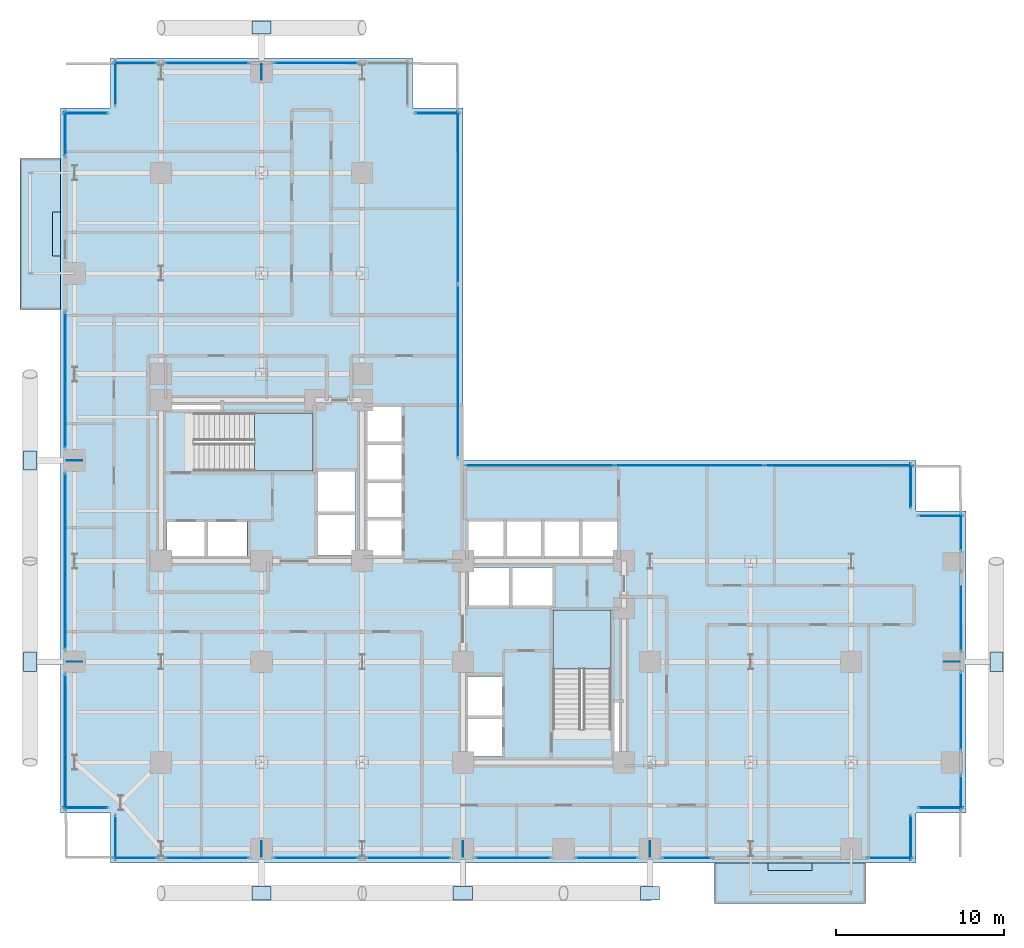
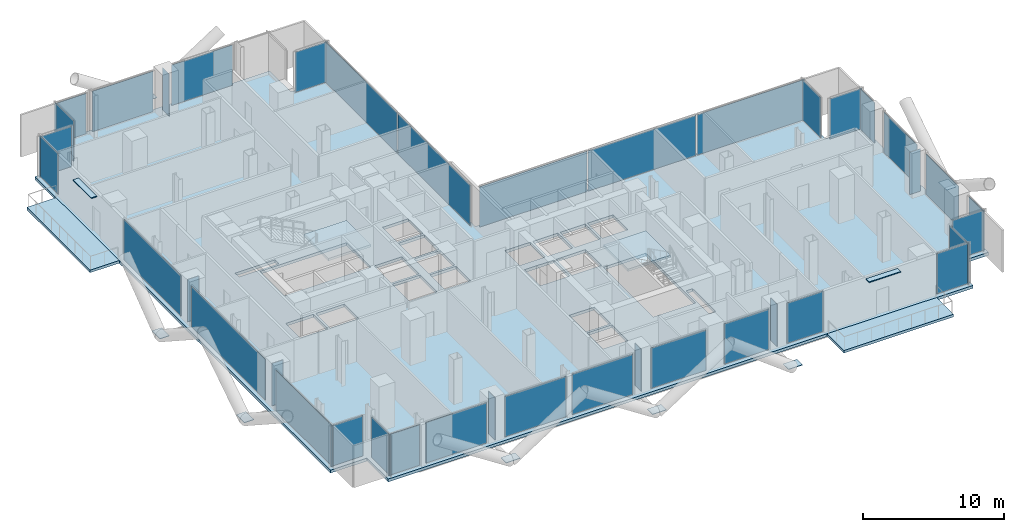
# One storey, part 17 of 27: 49 plates, 5 slabs, 32 elements without a shape of their own.
"""IFC4 building model written with IfcOpenShell, lengths in metres."""

from ifc_helpers import new_model, si_unit, direction, frame, origin, origin_2d, place, context, subcontext, project, spatial, polyline, rectangle, outline, extrude, material, layer, layer_set, type_object, element, aggregate, save


model = new_model("IFC4")

# Units and contexts
model_context = context("Model", 3, precision=1e-05, world=origin(), true_north=direction((0.0, 1.0)))
body_context = subcontext(model_context, "Body", "Model", "MODEL_VIEW")
ifc_project = project(units=[si_unit("LENGTHUNIT", "METRE"), si_unit("AREAUNIT", "SQUARE_METRE"), si_unit("VOLUMEUNIT", "CUBIC_METRE"), si_unit("PLANEANGLEUNIT", "RADIAN"), si_unit("MASSUNIT", "GRAM", prefix="KILO"), si_unit("THERMODYNAMICTEMPERATUREUNIT", "KELVIN"), si_unit("POWERUNIT", "WATT")], contexts=[model_context])

# Site, building, storey
site_placement = place(None, origin())
site = spatial("IfcSite", under=ifc_project, at=site_placement, CompositionType="ELEMENT")
building_placement = place(site_placement, origin())
building = spatial("IfcBuilding", under=site, at=building_placement, Name="Svarakhadi Broadcast Tower", CompositionType="ELEMENT")
storey_placement = place(building_placement, frame((0.0, 0.0, 59.699951171875)))
storey = spatial("IfcBuildingStorey", under=building, at=storey_placement, Name="L13", CompositionType="ELEMENT", Elevation=59.699951171875)

# Curtain wall, plate
ifc_material_1 = material(Name="Anodised Bronze Aluminium AA 6063-T6", Category="aluminium")
ifc_layer_1 = layer(ifc_material_1, 0.219970703125)
ifc_layer_set_1 = layer_set([ifc_layer_1], Name="Anodised Bronze Aluminium AA 6063-T6")
curtain_wall_type = type_object("IfcCurtainWallType", Name="CW_Sys_02", PredefinedType="NOTDEFINED", material=ifc_layer_set_1)
curtain_wall_1_placement = place(storey_placement, origin())
curtain_wall_1 = element("IfcCurtainWall", 1, at=curtain_wall_1_placement, inside=storey, type_object=curtain_wall_type, Name="L13 Unitised Facade Curtain Wall 01", PredefinedType="NOTDEFINED")
ifc_material_2 = material(Name="Double Low-E Laminated Acoustic Glass IGU 36 mm", Category="glass")
ifc_layer_2 = layer(ifc_material_2, 0.035888671875)
ifc_layer_set_2 = layer_set([ifc_layer_2], Name="Double Low-E Laminated Acoustic Glass IGU 36 mm")
plate_type_1 = type_object("IfcPlateType", Name="CW_Sys_02_Pnl", PredefinedType="CURTAIN_PANEL", material=ifc_layer_set_2)
plate_1_placement = place(storey_placement, frame((1.5, 3.300048828125, 0.074951171875), z_axis=(0.0, 0.0, 1.0), x_axis=(-1.0, 0.0, 0.0)))
plate_1 = element("IfcPlate", 2, at=plate_1_placement, type_object=plate_type_1, Name="CW-02 panel 1.1", PredefinedType="CURTAIN_PANEL", context=body_context, shape_type="SweptSolid", body=[
    extrude(rectangle(XDim=2.64990234375, YDim=0.035888671875, at=origin_2d()), origin(), (0.0, 0.0, 1.0), 3.5),
])
aggregate(curtain_wall_1, [plate_1])

curtain_wall_2_placement = place(storey_placement, origin())
curtain_wall_2 = element("IfcCurtainWall", 3, at=curtain_wall_2_placement, inside=storey, type_object=curtain_wall_type, Name="L13 West Curtain Wall 02 Bay 1", PredefinedType="NOTDEFINED")
plate_2_placement = place(storey_placement, frame((0.300048828125, 7.2099609375, 0.074951171875), z_axis=(0.0, 0.0, 1.0), x_axis=(0.0, 1.0, 0.0)))
plate_2 = element("IfcPlate", 4, at=plate_2_placement, type_object=plate_type_1, Name="CW-02 panel 1.1", PredefinedType="CURTAIN_PANEL", context=body_context, shape_type="SweptSolid", body=[
    extrude(rectangle(XDim=8.070068359375, YDim=0.035888671875, at=origin_2d()), origin(), (0.0, 0.0, 1.0), 3.5),
])
aggregate(curtain_wall_2, [plate_2])

curtain_wall_3_placement = place(storey_placement, origin())
curtain_wall_3 = element("IfcCurtainWall", 5, at=curtain_wall_3_placement, inside=storey, type_object=curtain_wall_type, Name="L13 West Curtain Wall 02 Bay 2", PredefinedType="NOTDEFINED")
plate_3_placement = place(storey_placement, frame((0.300048828125, 18.0, 0.074951171875), z_axis=(0.0, 0.0, 1.0), x_axis=(0.0, 1.0, 0.0)))
plate_3 = element("IfcPlate", 6, at=plate_3_placement, type_object=plate_type_1, Name="CW-02 panel 1.1", PredefinedType="CURTAIN_PANEL", context=body_context, shape_type="SweptSolid", body=[
    extrude(rectangle(XDim=10.489990234375, YDim=0.035888671875, at=origin_2d()), origin(), (0.0, 0.0, 1.0), 3.5),
])
aggregate(curtain_wall_3, [plate_3])

curtain_wall_4_placement = place(storey_placement, origin())
curtain_wall_4 = element("IfcCurtainWall", 7, at=curtain_wall_4_placement, inside=storey, type_object=curtain_wall_type, Name="L13 West Curtain Wall 02 Bay 3", PredefinedType="NOTDEFINED")
plate_4_placement = place(storey_placement, frame((0.300048828125, 28.7900390625, 0.074951171875), z_axis=(0.0, 0.0, 1.0), x_axis=(0.0, 1.0, 0.0)))
plate_4 = element("IfcPlate", 8, at=plate_4_placement, type_object=plate_type_1, Name="CW-02 panel 1.1", PredefinedType="CURTAIN_PANEL", context=body_context, shape_type="SweptSolid", body=[
    extrude(rectangle(XDim=8.070068359375, YDim=0.035888671875, at=origin_2d()), origin(), (0.0, 0.0, 1.0), 3.5),
])
aggregate(curtain_wall_4, [plate_4])

curtain_wall_5_placement = place(storey_placement, origin())
curtain_wall_5 = element("IfcCurtainWall", 9, at=curtain_wall_5_placement, inside=storey, type_object=curtain_wall_type, Name="L13 West Curtain Wall 03", PredefinedType="NOTDEFINED")
plate_5_placement = place(storey_placement, frame((0.300048828125, 43.5, 0.074951171875), z_axis=(0.0, 0.0, 1.0), x_axis=(0.0, 1.0, 0.0)))
plate_5 = element("IfcPlate", 10, at=plate_5_placement, type_object=plate_type_1, Name="CW-02 panel 1.1", PredefinedType="CURTAIN_PANEL", context=body_context, shape_type="SweptSolid", body=[
    extrude(rectangle(XDim=2.64990234375, YDim=0.035888671875, at=origin_2d()), origin(), (0.0, 0.0, 1.0), 3.5),
])
aggregate(curtain_wall_5, [plate_5])

curtain_wall_6_placement = place(storey_placement, origin())
curtain_wall_6 = element("IfcCurtainWall", 11, at=curtain_wall_6_placement, inside=storey, type_object=curtain_wall_type, Name="L13 Unitised Facade Curtain Wall 04", PredefinedType="NOTDEFINED")
plate_6_placement = place(storey_placement, frame((1.5, 44.699951171875, 0.074951171875), z_axis=(0.0, 0.0, 1.0), x_axis=(1.0, 0.0, 0.0)))
plate_6 = element("IfcPlate", 12, at=plate_6_placement, type_object=plate_type_1, Name="CW-02 panel 1.1", PredefinedType="CURTAIN_PANEL", context=body_context, shape_type="SweptSolid", body=[
    extrude(rectangle(XDim=2.64990234375, YDim=0.035888671875, at=origin_2d()), origin(), (0.0, 0.0, 1.0), 3.5),
])
aggregate(curtain_wall_6, [plate_6])

curtain_wall_7_placement = place(storey_placement, origin())
curtain_wall_7 = element("IfcCurtainWall", 13, at=curtain_wall_7_placement, inside=storey, type_object=curtain_wall_type, Name="L13 Unitised Facade Curtain Wall 05", PredefinedType="NOTDEFINED")
plate_7_placement = place(storey_placement, frame((3.300048828125, 46.5, 0.074951171875), z_axis=(0.0, 0.0, 1.0), x_axis=(0.0, 1.0, 0.0)))
plate_7 = element("IfcPlate", 14, at=plate_7_placement, type_object=plate_type_1, Name="CW-02 panel 1.1", PredefinedType="CURTAIN_PANEL", context=body_context, shape_type="SweptSolid", body=[
    extrude(rectangle(XDim=2.64990234375, YDim=0.035888671875, at=origin_2d()), origin(), (0.0, 0.0, 1.0), 3.5),
])
aggregate(curtain_wall_7, [plate_7])

curtain_wall_8_placement = place(storey_placement, origin())
curtain_wall_8 = element("IfcCurtainWall", 15, at=curtain_wall_8_placement, inside=storey, type_object=curtain_wall_type, Name="L13 Unitised Facade Curtain Wall 06 Bay 1", PredefinedType="NOTDEFINED")
plate_8_placement = place(storey_placement, frame((4.4599609375, 47.699951171875, 0.074951171875), z_axis=(0.0, 0.0, 1.0), x_axis=(1.0, 0.0, 0.0)))
plate_8 = element("IfcPlate", 16, at=plate_8_placement, type_object=plate_type_1, Name="CW-02 panel 1.1", PredefinedType="CURTAIN_PANEL", context=body_context, shape_type="SweptSolid", body=[
    extrude(rectangle(XDim=2.570068359375, YDim=0.035888671875, at=origin_2d()), origin(), (0.0, 0.0, 1.0), 3.5),
])
aggregate(curtain_wall_8, [plate_8])

curtain_wall_9_placement = place(storey_placement, origin())
curtain_wall_9 = element("IfcCurtainWall", 17, at=curtain_wall_9_placement, inside=storey, type_object=curtain_wall_type, Name="L13 Unitised Facade Curtain Wall 06 Bay 2", PredefinedType="NOTDEFINED")
plate_9_placement = place(storey_placement, frame((8.75, 47.699951171875, 0.074951171875), z_axis=(0.0, 0.0, 1.0), x_axis=(1.0, 0.0, 0.0)))
plate_9 = element("IfcPlate", 18, at=plate_9_placement, type_object=plate_type_1, Name="CW-02 panel 1.1", PredefinedType="CURTAIN_PANEL", context=body_context, shape_type="SweptSolid", body=[
    extrude(rectangle(XDim=4.989990234375, YDim=0.035888671875, at=origin_2d()), origin(), (0.0, 0.0, 1.0), 3.5),
])
aggregate(curtain_wall_9, [plate_9])

curtain_wall_10_placement = place(storey_placement, origin())
curtain_wall_10 = element("IfcCurtainWall", 19, at=curtain_wall_10_placement, inside=storey, type_object=curtain_wall_type, Name="L13 Unitised Facade Curtain Wall 06 Bay 3", PredefinedType="NOTDEFINED")
plate_10_placement = place(storey_placement, frame((15.25, 47.699951171875, 0.074951171875), z_axis=(0.0, 0.0, 1.0), x_axis=(1.0, 0.0, 0.0)))
plate_10 = element("IfcPlate", 20, at=plate_10_placement, type_object=plate_type_1, Name="CW-02 panel 1.1", PredefinedType="CURTAIN_PANEL", context=body_context, shape_type="SweptSolid", body=[
    extrude(rectangle(XDim=4.989990234375, YDim=0.035888671875, at=origin_2d()), origin(), (0.0, 0.0, 1.0), 3.5),
])
aggregate(curtain_wall_10, [plate_10])

curtain_wall_11_placement = place(storey_placement, origin())
curtain_wall_11 = element("IfcCurtainWall", 21, at=curtain_wall_11_placement, inside=storey, type_object=curtain_wall_type, Name="L13 Unitised Facade Curtain Wall 08", PredefinedType="NOTDEFINED")
plate_11_placement = place(storey_placement, frame((22.5, 44.699951171875, 0.074951171875), z_axis=(0.0, 0.0, 1.0), x_axis=(1.0, 0.0, 0.0)))
plate_11 = element("IfcPlate", 22, at=plate_11_placement, type_object=plate_type_1, Name="CW-02 panel 1.1", PredefinedType="CURTAIN_PANEL", context=body_context, shape_type="SweptSolid", body=[
    extrude(rectangle(XDim=2.64990234375, YDim=0.035888671875, at=origin_2d()), origin(), (0.0, 0.0, 1.0), 3.5),
])
aggregate(curtain_wall_11, [plate_11])

# Curtain wall, plates
curtain_wall_12_placement = place(storey_placement, origin())
curtain_wall_12 = element("IfcCurtainWall", 23, at=curtain_wall_12_placement, inside=storey, type_object=curtain_wall_type, Name="L13 Unitised Facade Curtain Wall 09", PredefinedType="NOTDEFINED")
plate_12_placement = place(storey_placement, frame((23.699951171875, 39.683837890625, 0.074951171875), z_axis=(0.0, 0.0, 1.0), x_axis=(0.0, -1.0, 0.0)))
plate_12 = element("IfcPlate", 24, at=plate_12_placement, type_object=plate_type_1, Name="CW-02 panel 1.1", PredefinedType="CURTAIN_PANEL", context=body_context, shape_type="SweptSolid", body=[
    extrude(rectangle(XDim=10.282470703125, YDim=0.035888671875, at=origin_2d()), origin(), (0.0, 0.0, 1.0), 3.5),
])
plate_13_placement = place(storey_placement, frame((23.699951171875, 29.316162109375, 0.074951171875), z_axis=(0.0, 0.0, 1.0), x_axis=(0.0, -1.0, 0.0)))
plate_13 = element("IfcPlate", 25, at=plate_13_placement, type_object=plate_type_1, Name="CW-02 panel 2.1", PredefinedType="CURTAIN_PANEL", context=body_context, shape_type="SweptSolid", body=[
    extrude(rectangle(XDim=10.282470703125, YDim=0.035888671875, at=origin_2d()), origin(), (0.0, 0.0, 1.0), 3.5),
])
aggregate(curtain_wall_12, [plate_12, plate_13])

curtain_wall_13_placement = place(storey_placement, origin())
curtain_wall_13 = element("IfcCurtainWall", 26, at=curtain_wall_13_placement, inside=storey, type_object=curtain_wall_type, Name="L13 Unitised Facade Curtain Wall 10", PredefinedType="NOTDEFINED")
plate_14_placement = place(storey_placement, frame((28.581298828125, 23.699951171875, 0.074951171875), z_axis=(0.0, 0.0, 1.0), x_axis=(1.0, 0.0, 0.0)))
plate_14 = element("IfcPlate", 27, at=plate_14_placement, type_object=plate_type_1, Name="CW-02 panel 1.1", PredefinedType="CURTAIN_PANEL", context=body_context, shape_type="SweptSolid", body=[
    extrude(rectangle(XDim=8.8125, YDim=0.035888671875, at=origin_2d()), origin(), (0.0, 0.0, 1.0), 3.5),
])
plate_15_placement = place(storey_placement, frame((37.5, 23.699951171875, 0.074951171875), z_axis=(0.0, 0.0, 1.0), x_axis=(1.0, 0.0, 0.0)))
plate_15 = element("IfcPlate", 28, at=plate_15_placement, type_object=plate_type_1, Name="CW-02 panel 2.1", PredefinedType="CURTAIN_PANEL", context=body_context, shape_type="SweptSolid", body=[
    extrude(rectangle(XDim=8.85498046875, YDim=0.035888671875, at=origin_2d()), origin(), (0.0, 0.0, 1.0), 3.5),
])
plate_16_placement = place(storey_placement, frame((46.418701171875, 23.699951171875, 0.074951171875), z_axis=(0.0, 0.0, 1.0), x_axis=(1.0, 0.0, 0.0)))
plate_16 = element("IfcPlate", 29, at=plate_16_placement, type_object=plate_type_1, Name="CW-02 panel 3.1", PredefinedType="CURTAIN_PANEL", context=body_context, shape_type="SweptSolid", body=[
    extrude(rectangle(XDim=8.8125, YDim=0.035888671875, at=origin_2d()), origin(), (0.0, 0.0, 1.0), 3.5),
])
aggregate(curtain_wall_13, [plate_14, plate_15, plate_16])

# Curtain wall, plate
curtain_wall_14_placement = place(storey_placement, origin())
curtain_wall_14 = element("IfcCurtainWall", 30, at=curtain_wall_14_placement, inside=storey, type_object=curtain_wall_type, Name="L13 Unitised Facade Curtain Wall 11", PredefinedType="NOTDEFINED")
plate_17_placement = place(storey_placement, frame((50.699951171875, 22.5, 0.074951171875), z_axis=(0.0, 0.0, 1.0), x_axis=(0.0, -1.0, 0.0)))
plate_17 = element("IfcPlate", 31, at=plate_17_placement, type_object=plate_type_1, Name="CW-02 panel 1.1", PredefinedType="CURTAIN_PANEL", context=body_context, shape_type="SweptSolid", body=[
    extrude(rectangle(XDim=2.64990234375, YDim=0.035888671875, at=origin_2d()), origin(), (0.0, 0.0, 1.0), 3.5),
])
aggregate(curtain_wall_14, [plate_17])

curtain_wall_15_placement = place(storey_placement, origin())
curtain_wall_15 = element("IfcCurtainWall", 32, at=curtain_wall_15_placement, inside=storey, type_object=curtain_wall_type, Name="L13 Unitised Facade Curtain Wall 12", PredefinedType="NOTDEFINED")
plate_18_placement = place(storey_placement, frame((52.5, 20.699951171875, 0.074951171875), z_axis=(0.0, 0.0, 1.0), x_axis=(1.0, 0.0, 0.0)))
plate_18 = element("IfcPlate", 33, at=plate_18_placement, type_object=plate_type_1, Name="CW-02 panel 1.1", PredefinedType="CURTAIN_PANEL", context=body_context, shape_type="SweptSolid", body=[
    extrude(rectangle(XDim=2.64990234375, YDim=0.035888671875, at=origin_2d()), origin(), (0.0, 0.0, 1.0), 3.5),
])
aggregate(curtain_wall_15, [plate_18])

curtain_wall_16_placement = place(storey_placement, origin())
curtain_wall_16 = element("IfcCurtainWall", 34, at=curtain_wall_16_placement, inside=storey, type_object=curtain_wall_type, Name="L13 Unitised Facade Curtain Wall 13 Bay 1", PredefinedType="NOTDEFINED")
plate_19_placement = place(storey_placement, frame((53.699951171875, 19.739990234375, 0.074951171875), z_axis=(0.0, 0.0, 1.0), x_axis=(0.0, -1.0, 0.0)))
plate_19 = element("IfcPlate", 35, at=plate_19_placement, type_object=plate_type_1, Name="CW-02 panel 1.1", PredefinedType="CURTAIN_PANEL", context=body_context, shape_type="SweptSolid", body=[
    extrude(rectangle(XDim=2.169921875, YDim=0.035888671875, at=origin_2d()), origin(), (0.0, 0.0, 1.0), 3.5),
])
aggregate(curtain_wall_16, [plate_19])

curtain_wall_17_placement = place(storey_placement, origin())
curtain_wall_17 = element("IfcCurtainWall", 36, at=curtain_wall_17_placement, inside=storey, type_object=curtain_wall_type, Name="L13 Unitised Facade Curtain Wall 13 Bay 2", PredefinedType="NOTDEFINED")
plate_20_placement = place(storey_placement, frame((53.699951171875, 15.0, 0.074951171875), z_axis=(0.0, 0.0, 1.0), x_axis=(0.0, -1.0, 0.0)))
plate_20 = element("IfcPlate", 37, at=plate_20_placement, type_object=plate_type_1, Name="CW-02 panel 1.1", PredefinedType="CURTAIN_PANEL", context=body_context, shape_type="SweptSolid", body=[
    extrude(rectangle(XDim=4.68994140625, YDim=0.035888671875, at=origin_2d()), origin(), (0.0, 0.0, 1.0), 3.5),
])
aggregate(curtain_wall_17, [plate_20])

curtain_wall_18_placement = place(storey_placement, origin())
curtain_wall_18 = element("IfcCurtainWall", 38, at=curtain_wall_18_placement, inside=storey, type_object=curtain_wall_type, Name="L13 Unitised Facade Curtain Wall 13 Bay 3", PredefinedType="NOTDEFINED")
plate_21_placement = place(storey_placement, frame((53.699951171875, 9.050048828125, 0.074951171875), z_axis=(0.0, 0.0, 1.0), x_axis=(0.0, -1.0, 0.0)))
plate_21 = element("IfcPlate", 39, at=plate_21_placement, type_object=plate_type_1, Name="CW-02 panel 1.1", PredefinedType="CURTAIN_PANEL", context=body_context, shape_type="SweptSolid", body=[
    extrude(rectangle(XDim=4.590087890625, YDim=0.035888671875, at=origin_2d()), origin(), (0.0, 0.0, 1.0), 3.5),
])
aggregate(curtain_wall_18, [plate_21])

curtain_wall_19_placement = place(storey_placement, origin())
curtain_wall_19 = element("IfcCurtainWall", 40, at=curtain_wall_19_placement, inside=storey, type_object=curtain_wall_type, Name="L13 Unitised Facade Curtain Wall 13 Bay 4", PredefinedType="NOTDEFINED")
plate_22_placement = place(storey_placement, frame((53.699951171875, 4.2099609375, 0.074951171875), z_axis=(0.0, 0.0, 1.0), x_axis=(0.0, -1.0, 0.0)))
plate_22 = element("IfcPlate", 41, at=plate_22_placement, type_object=plate_type_1, Name="CW-02 panel 1.1", PredefinedType="CURTAIN_PANEL", context=body_context, shape_type="SweptSolid", body=[
    extrude(rectangle(XDim=2.070068359375, YDim=0.035888671875, at=origin_2d()), origin(), (0.0, 0.0, 1.0), 3.5),
])
aggregate(curtain_wall_19, [plate_22])

curtain_wall_20_placement = place(storey_placement, origin())
curtain_wall_20 = element("IfcCurtainWall", 42, at=curtain_wall_20_placement, inside=storey, type_object=curtain_wall_type, Name="L13 Unitised Facade Curtain Wall 14", PredefinedType="NOTDEFINED")
plate_23_placement = place(storey_placement, frame((52.5, 3.300048828125, 0.074951171875), z_axis=(0.0, 0.0, 1.0), x_axis=(-1.0, 0.0, 0.0)))
plate_23 = element("IfcPlate", 43, at=plate_23_placement, type_object=plate_type_1, Name="CW-02 panel 1.1", PredefinedType="CURTAIN_PANEL", context=body_context, shape_type="SweptSolid", body=[
    extrude(rectangle(XDim=2.64990234375, YDim=0.035888671875, at=origin_2d()), origin(), (0.0, 0.0, 1.0), 3.5),
])
aggregate(curtain_wall_20, [plate_23])

curtain_wall_21_placement = place(storey_placement, origin())
curtain_wall_21 = element("IfcCurtainWall", 44, at=curtain_wall_21_placement, inside=storey, type_object=curtain_wall_type, Name="L13 Unitised Facade Curtain Wall 15", PredefinedType="NOTDEFINED")
plate_24_placement = place(storey_placement, frame((50.699951171875, 1.5, 0.074951171875), z_axis=(0.0, 0.0, 1.0), x_axis=(0.0, -1.0, 0.0)))
plate_24 = element("IfcPlate", 45, at=plate_24_placement, type_object=plate_type_1, Name="CW-02 panel 1.1", PredefinedType="CURTAIN_PANEL", context=body_context, shape_type="SweptSolid", body=[
    extrude(rectangle(XDim=2.64990234375, YDim=0.035888671875, at=origin_2d()), origin(), (0.0, 0.0, 1.0), 3.5),
])
aggregate(curtain_wall_21, [plate_24])

curtain_wall_22_placement = place(storey_placement, origin())
curtain_wall_22 = element("IfcCurtainWall", 46, at=curtain_wall_22_placement, inside=storey, type_object=curtain_wall_type, Name="L13 South Curtain Wall 16", PredefinedType="NOTDEFINED")
plate_25_placement = place(storey_placement, frame((49.5, 0.300048828125, 0.074951171875), z_axis=(0.0, 0.0, 1.0), x_axis=(-1.0, 0.0, 0.0)))
plate_25 = element("IfcPlate", 47, at=plate_25_placement, type_object=plate_type_1, Name="CW-02 panel 1.1", PredefinedType="CURTAIN_PANEL", context=body_context, shape_type="SweptSolid", body=[
    extrude(rectangle(XDim=2.64990234375, YDim=0.035888671875, at=origin_2d()), origin(), (0.0, 0.0, 1.0), 3.5),
])
aggregate(curtain_wall_22, [plate_25])

curtain_wall_23_placement = place(storey_placement, origin())
curtain_wall_23 = element("IfcCurtainWall", 48, at=curtain_wall_23_placement, inside=storey, type_object=curtain_wall_type, Name="L13 South Curtain Wall 17 Bay 1", PredefinedType="NOTDEFINED")
plate_26_placement = place(storey_placement, frame((37.364990234375, 0.300048828125, 0.074951171875), z_axis=(0.0, 0.0, 1.0), x_axis=(-1.0, 0.0, 0.0)))
plate_26 = element("IfcPlate", 49, at=plate_26_placement, type_object=plate_type_1, Name="CW-02 panel 1.1", PredefinedType="CURTAIN_PANEL", context=body_context, shape_type="SweptSolid", body=[
    extrude(rectangle(XDim=2.919921875, YDim=0.035888671875, at=origin_2d()), origin(), (0.0, 0.0, 1.0), 3.5),
])
aggregate(curtain_wall_23, [plate_26])

curtain_wall_24_placement = place(storey_placement, origin())
curtain_wall_24 = element("IfcCurtainWall", 50, at=curtain_wall_24_placement, inside=storey, type_object=curtain_wall_type, Name="L13 South Curtain Wall 17 Bay 2", PredefinedType="NOTDEFINED")
plate_27_placement = place(storey_placement, frame((32.574951171875, 0.300048828125, 0.074951171875), z_axis=(0.0, 0.0, 1.0), x_axis=(-1.0, 0.0, 0.0)))
plate_27 = element("IfcPlate", 51, at=plate_27_placement, type_object=plate_type_1, Name="CW-02 panel 1.1", PredefinedType="CURTAIN_PANEL", context=body_context, shape_type="SweptSolid", body=[
    extrude(rectangle(XDim=3.639892578125, YDim=0.035888671875, at=origin_2d()), origin(), (0.0, 0.0, 1.0), 3.5),
])
aggregate(curtain_wall_24, [plate_27])

curtain_wall_25_placement = place(storey_placement, origin())
curtain_wall_25 = element("IfcCurtainWall", 52, at=curtain_wall_25_placement, inside=storey, type_object=curtain_wall_type, Name="L13 South Curtain Wall 17 Bay 3", PredefinedType="NOTDEFINED")
plate_28_placement = place(storey_placement, frame((27.0, 0.300048828125, 0.074951171875), z_axis=(0.0, 0.0, 1.0), x_axis=(-1.0, 0.0, 0.0)))
plate_28 = element("IfcPlate", 53, at=plate_28_placement, type_object=plate_type_1, Name="CW-02 panel 1.1", PredefinedType="CURTAIN_PANEL", context=body_context, shape_type="SweptSolid", body=[
    extrude(rectangle(XDim=4.489990234375, YDim=0.035888671875, at=origin_2d()), origin(), (0.0, 0.0, 1.0), 3.5),
])
aggregate(curtain_wall_25, [plate_28])

curtain_wall_26_placement = place(storey_placement, origin())
curtain_wall_26 = element("IfcCurtainWall", 54, at=curtain_wall_26_placement, inside=storey, type_object=curtain_wall_type, Name="L13 South Curtain Wall 17 Bay 4", PredefinedType="NOTDEFINED")
plate_29_placement = place(storey_placement, frame((20.75, 0.300048828125, 0.074951171875), z_axis=(0.0, 0.0, 1.0), x_axis=(-1.0, 0.0, 0.0)))
plate_29 = element("IfcPlate", 55, at=plate_29_placement, type_object=plate_type_1, Name="CW-02 panel 1.1", PredefinedType="CURTAIN_PANEL", context=body_context, shape_type="SweptSolid", body=[
    extrude(rectangle(XDim=4.989990234375, YDim=0.035888671875, at=origin_2d()), origin(), (0.0, 0.0, 1.0), 3.5),
])
aggregate(curtain_wall_26, [plate_29])

curtain_wall_27_placement = place(storey_placement, origin())
curtain_wall_27 = element("IfcCurtainWall", 56, at=curtain_wall_27_placement, inside=storey, type_object=curtain_wall_type, Name="L13 South Curtain Wall 17 Bay 5", PredefinedType="NOTDEFINED")
plate_30_placement = place(storey_placement, frame((15.25, 0.300048828125, 0.074951171875), z_axis=(0.0, 0.0, 1.0), x_axis=(-1.0, 0.0, 0.0)))
plate_30 = element("IfcPlate", 57, at=plate_30_placement, type_object=plate_type_1, Name="CW-02 panel 1.1", PredefinedType="CURTAIN_PANEL", context=body_context, shape_type="SweptSolid", body=[
    extrude(rectangle(XDim=4.989990234375, YDim=0.035888671875, at=origin_2d()), origin(), (0.0, 0.0, 1.0), 3.5),
])
aggregate(curtain_wall_27, [plate_30])

curtain_wall_28_placement = place(storey_placement, origin())
curtain_wall_28 = element("IfcCurtainWall", 58, at=curtain_wall_28_placement, inside=storey, type_object=curtain_wall_type, Name="L13 South Curtain Wall 17 Bay 6", PredefinedType="NOTDEFINED")
plate_31_placement = place(storey_placement, frame((8.75, 0.300048828125, 0.074951171875), z_axis=(0.0, 0.0, 1.0), x_axis=(-1.0, 0.0, 0.0)))
plate_31 = element("IfcPlate", 59, at=plate_31_placement, type_object=plate_type_1, Name="CW-02 panel 1.1", PredefinedType="CURTAIN_PANEL", context=body_context, shape_type="SweptSolid", body=[
    extrude(rectangle(XDim=4.989990234375, YDim=0.035888671875, at=origin_2d()), origin(), (0.0, 0.0, 1.0), 3.5),
])
aggregate(curtain_wall_28, [plate_31])

curtain_wall_29_placement = place(storey_placement, origin())
curtain_wall_29 = element("IfcCurtainWall", 60, at=curtain_wall_29_placement, inside=storey, type_object=curtain_wall_type, Name="L13 South Curtain Wall 17 Bay 7", PredefinedType="NOTDEFINED")
plate_32_placement = place(storey_placement, frame((4.4599609375, 0.300048828125, 0.074951171875), z_axis=(0.0, 0.0, 1.0), x_axis=(-1.0, 0.0, 0.0)))
plate_32 = element("IfcPlate", 61, at=plate_32_placement, type_object=plate_type_1, Name="CW-02 panel 1.1", PredefinedType="CURTAIN_PANEL", context=body_context, shape_type="SweptSolid", body=[
    extrude(rectangle(XDim=2.570068359375, YDim=0.035888671875, at=origin_2d()), origin(), (0.0, 0.0, 1.0), 3.5),
])
aggregate(curtain_wall_29, [plate_32])

curtain_wall_30_placement = place(storey_placement, origin())
curtain_wall_30 = element("IfcCurtainWall", 62, at=curtain_wall_30_placement, inside=storey, type_object=curtain_wall_type, Name="L13 Unitised Facade Curtain Wall 18", PredefinedType="NOTDEFINED")
plate_33_placement = place(storey_placement, frame((3.300048828125, 1.5, 0.074951171875), z_axis=(0.0, 0.0, 1.0), x_axis=(0.0, 1.0, 0.0)))
plate_33 = element("IfcPlate", 63, at=plate_33_placement, type_object=plate_type_1, Name="CW-02 panel 1.1", PredefinedType="CURTAIN_PANEL", context=body_context, shape_type="SweptSolid", body=[
    extrude(rectangle(XDim=2.64990234375, YDim=0.035888671875, at=origin_2d()), origin(), (0.0, 0.0, 1.0), 3.5),
])
aggregate(curtain_wall_30, [plate_33])

# Plates
ifc_material_3 = material(Name="Steel S460ML (IS 2062 E450BR)", Category="steel")
ifc_layer_3 = layer(ifc_material_3, 0.035888671875)
ifc_layer_set_3 = layer_set([ifc_layer_3], Name="Steel S460ML (IS 2062 E450BR)")
plate_type_2 = type_object("IfcPlateType", Name="Node_Gusset_N01", PredefinedType="SHEET", material=ifc_layer_set_3)
for number, where, z_axis, x_axis, name in (
    (64, (12.0, -1.800048828125, -0.25), (0.0, 0.0, 1.0), (1.0, 0.0, 0.0), "L13 Exoskeleton Gusset Node Plate S01"),
    (65, (24.0, -1.800048828125, -0.25), (0.0, 0.0, 1.0), (1.0, 0.0, 0.0), "L13 Exoskeleton Gusset Node Plate S02"),
    (66, (35.14990234375, -1.800048828125, -0.25), (0.0, 0.0, 1.0), (1.0, 0.0, 0.0), "L13 Exoskeleton Gusset Node Plate S03"),
    (67, (-1.800048828125, 12.0, -0.25), (0.0, 0.0, 1.0), (0.0, 1.0, 0.0), "L13 Exoskeleton Gusset Node Plate W04"),
    (68, (-1.800048828125, 24.0, -0.25), (0.0, 0.0, 1.0), (0.0, 1.0, 0.0), "L13 Exoskeleton Gusset Node Plate W05"),
    (69, (55.800048828125, 12.0, -0.25), (0.0, 0.0, 1.0), (0.0, 1.0, 0.0), "L13 Exoskeleton Gusset Node Plate E06"),
    (70, (12.0, 49.800048828125, -0.25), (0.0, 0.0, 1.0), (1.0, 0.0, 0.0), "L13 Exoskeleton Gusset Node Plate N07"),
):
    element("IfcPlate", number, at=place(storey_placement, frame(where, z_axis=z_axis, x_axis=x_axis)), inside=storey, type_object=plate_type_2, Name=name, PredefinedType="SHEET", context=body_context, shape_type="SweptSolid", body=[
        extrude(rectangle(XDim=1.14990234375, YDim=0.780029296875, at=origin_2d()), origin(), (0.0, 0.0, 1.0), 0.035888671875),
    ])
ifc_layer_4 = layer(ifc_material_3, 0.02587890625)
ifc_layer_set_4 = layer_set([ifc_layer_4], Name="Steel S460ML (IS 2062 E450BR)")
plate_type_3 = type_object("IfcPlateType", Name="Node_Gusset_N07", PredefinedType="SHEET", material=ifc_layer_set_4)
for number, where, z_axis, x_axis, name in (
    (71, (12.0, 0.85009765625, -0.6279296875), (0.0, 0.0, 1.0), (0.0, 1.0, 0.0), "L13 Brace End Connection Gusset Plate N-07-E0084"),
    (72, (24.0, 0.85009765625, -0.6279296875), (0.0, 0.0, 1.0), (0.0, 1.0, 0.0), "L13 Brace End Connection Gusset Plate N-07-E0085"),
    (73, (35.14990234375, 0.85009765625, -0.6279296875), (0.0, 0.0, 1.0), (0.0, 1.0, 0.0), "L13 Brace End Connection Gusset Plate N-07-E0086"),
    (74, (0.85009765625, 12.0, -0.6279296875), (0.0, 0.0, 1.0), (1.0, 0.0, 0.0), "L13 Brace End Connection Gusset Plate N-07-E0087"),
    (75, (0.85009765625, 24.0, -0.6279296875), (0.0, 0.0, 1.0), (1.0, 0.0, 0.0), "L13 Brace End Connection Gusset Plate N-07-E0088"),
    (76, (53.14990234375, 12.0, -0.6279296875), (0.0, 0.0, 1.0), (1.0, 0.0, 0.0), "L13 Brace End Connection Gusset Plate N-07-E0089"),
    (77, (12.0, 47.14990234375, -0.6279296875), (0.0, 0.0, 1.0), (0.0, 1.0, 0.0), "L13 Brace End Connection Gusset Plate N-07-E0090"),
):
    element("IfcPlate", number, at=place(storey_placement, frame(where, z_axis=z_axis, x_axis=x_axis)), inside=storey, type_object=plate_type_3, Name=name, PredefinedType="SHEET", context=body_context, shape_type="SweptSolid", body=[
        extrude(rectangle(XDim=0.919921875, YDim=0.02587890625, at=origin_2d()), origin(), (0.0, 0.0, 1.0), 4.300048828125),
    ])

# Slab
ifc_material_4 = material(Name="Concrete C40/50 (IS 456 M50)", Category="concrete")
ifc_layer_5 = layer(ifc_material_4, 0.25)
ifc_layer_set_5 = layer_set([ifc_layer_5], Name="Concrete C40/50 (IS 456 M50)")
slab_type_1 = type_object("IfcSlabType", Name="Slab_Floor_250", PredefinedType="FLOOR", material=ifc_layer_set_5)
slab_1_placement = place(storey_placement, frame((0.0, 0.0, -0.25)))
element("IfcSlab", 78, at=slab_1_placement, inside=storey, type_object=slab_type_1, Name="L13 Structural Floor Slab", PredefinedType="FLOOR", context=body_context, shape_type="SweptSolid", body=[
    extrude(outline(polyline([(3.0, 0.0), (51.0, 0.0), (51.0, 3.0), (54.0, 3.0), (54.0, 21.0), (51.0, 21.0), (51.0, 24.0), (24.0, 24.0), (24.0, 45.0), (21.0, 45.0), (21.0, 48.0), (3.0, 48.0), (3.0, 45.0), (0.0, 45.0), (0.0, 3.0), (3.0, 3.0), (3.0, 0.0)]), holes=[polyline([(7.97998046875, 23.360107421875), (15.080078125, 23.360107421875), (15.080078125, 26.840087890625), (7.97998046875, 26.840087890625), (7.97998046875, 23.360107421875)]), polyline([(32.840087890625, 7.97998046875), (32.840087890625, 15.080078125), (29.360107421875, 15.080078125), (29.360107421875, 7.97998046875), (32.840087890625, 7.97998046875)]), polyline([(6.340087890625, 18.2900390625), (8.610107421875, 18.2900390625), (8.610107421875, 20.330078125), (6.340087890625, 20.330078125), (6.340087890625, 18.2900390625)]), polyline([(8.7900390625, 18.2900390625), (11.1298828125, 18.2900390625), (11.1298828125, 20.330078125), (8.7900390625, 20.330078125), (8.7900390625, 18.2900390625)]), polyline([(24.2900390625, 6.340087890625), (26.330078125, 6.340087890625), (26.330078125, 8.610107421875), (24.2900390625, 8.610107421875), (24.2900390625, 6.340087890625)]), polyline([(24.2900390625, 8.7900390625), (26.330078125, 8.7900390625), (26.330078125, 11.1298828125), (24.2900390625, 11.1298828125), (24.2900390625, 8.7900390625)]), polyline([(6.340087890625, 26.989990234375), (9.610107421875, 26.989990234375), (9.610107421875, 27.530029296875), (6.340087890625, 27.530029296875), (6.340087890625, 26.989990234375)]), polyline([(32.989990234375, 6.340087890625), (33.530029296875, 6.340087890625), (33.530029296875, 9.610107421875), (32.989990234375, 9.610107421875), (32.989990234375, 6.340087890625)]), polyline([(15.340087890625, 18.340087890625), (17.610107421875, 18.340087890625), (17.610107421875, 20.760009765625), (15.340087890625, 20.760009765625), (15.340087890625, 18.340087890625)]), polyline([(15.340087890625, 20.93994140625), (17.610107421875, 20.93994140625), (17.610107421875, 23.360107421875), (15.340087890625, 23.360107421875), (15.340087890625, 20.93994140625)]), polyline([(24.340087890625, 15.340087890625), (26.760009765625, 15.340087890625), (26.760009765625, 17.610107421875), (24.340087890625, 17.610107421875), (24.340087890625, 15.340087890625)]), polyline([(26.93994140625, 15.340087890625), (29.360107421875, 15.340087890625), (29.360107421875, 17.610107421875), (26.93994140625, 17.610107421875), (26.93994140625, 15.340087890625)]), polyline([(18.239990234375, 18.340087890625), (20.360107421875, 18.340087890625), (20.360107421875, 20.429931640625), (18.239990234375, 20.429931640625), (18.239990234375, 18.340087890625)]), polyline([(18.239990234375, 20.610107421875), (20.360107421875, 20.610107421875), (20.360107421875, 22.679931640625), (18.239990234375, 22.679931640625), (18.239990234375, 20.610107421875)]), polyline([(18.239990234375, 22.860107421875), (20.360107421875, 22.860107421875), (20.360107421875, 24.929931640625), (18.239990234375, 24.929931640625), (18.239990234375, 22.860107421875)]), polyline([(18.239990234375, 25.110107421875), (20.360107421875, 25.110107421875), (20.360107421875, 27.2099609375), (18.239990234375, 27.2099609375), (18.239990234375, 25.110107421875)]), polyline([(24.340087890625, 18.239990234375), (26.429931640625, 18.239990234375), (26.429931640625, 20.360107421875), (24.340087890625, 20.360107421875), (24.340087890625, 18.239990234375)]), polyline([(26.610107421875, 18.239990234375), (28.679931640625, 18.239990234375), (28.679931640625, 20.360107421875), (26.610107421875, 20.360107421875), (26.610107421875, 18.239990234375)]), polyline([(28.860107421875, 18.239990234375), (30.929931640625, 18.239990234375), (30.929931640625, 20.360107421875), (28.860107421875, 20.360107421875), (28.860107421875, 18.239990234375)]), polyline([(31.110107421875, 18.239990234375), (33.2099609375, 18.239990234375), (33.2099609375, 20.360107421875), (31.110107421875, 20.360107421875), (31.110107421875, 18.239990234375)])]), origin(), (0.0, 0.0, 1.0), 0.25),
])

# Stair, slab
stair_type = type_object("IfcStairType", Name="Stair_Exit_Core", PredefinedType="HALF_TURN_STAIR", material=ifc_material_4)
stair_1_placement = place(storey_placement, origin())
stair_1 = element("IfcStair", 79, at=stair_1_placement, inside=storey, type_object=stair_type, Name="L13 West Core Protected Exit Stair ST-01", PredefinedType="HALF_TURN_STAIR")
ifc_layer_6 = layer(ifc_material_4, 0.199951171875)
ifc_layer_set_6 = layer_set([ifc_layer_6], Name="Concrete C40/50 (IS 456 M50)")
slab_type_2 = type_object("IfcSlabType", Name="Slab_Stair_Land", PredefinedType="LANDING", material=ifc_layer_set_6)
slab_2_placement = place(storey_placement, frame((0.0, 0.0, 1.75)))
slab_2 = element("IfcSlab", 80, at=slab_2_placement, type_object=slab_type_2, Name="ST-01 landing 1", PredefinedType="LANDING", context=body_context, shape_type="SweptSolid", body=[
    extrude(outline(polyline([(11.580078125, 23.360107421875), (15.080078125, 23.360107421875), (15.080078125, 26.840087890625), (11.580078125, 26.840087890625), (11.580078125, 23.360107421875)])), origin(), (0.0, 0.0, 1.0), 0.199951171875),
])
aggregate(stair_1, [slab_2])

stair_2_placement = place(storey_placement, origin())
stair_2 = element("IfcStair", 81, at=stair_2_placement, inside=storey, type_object=stair_type, Name="L13 East Core Protected Exit Stair ST-02", PredefinedType="HALF_TURN_STAIR")
slab_3_placement = place(storey_placement, frame((0.0, 0.0, 1.75)))
slab_3 = element("IfcSlab", 82, at=slab_3_placement, type_object=slab_type_2, Name="ST-02 landing 1", PredefinedType="LANDING", context=body_context, shape_type="SweptSolid", body=[
    extrude(outline(polyline([(32.840087890625, 11.580078125), (32.840087890625, 15.080078125), (29.360107421875, 15.080078125), (29.360107421875, 11.580078125), (32.840087890625, 11.580078125)])), origin(), (0.0, 0.0, 1.0), 0.199951171875),
])
aggregate(stair_2, [slab_3])

# Slabs
ifc_layer_7 = layer(ifc_material_4, 0.22509765625)
ifc_layer_set_7 = layer_set([ifc_layer_7], Name="Concrete C40/50 (IS 456 M50)")
slab_type_3 = type_object("IfcSlabType", Name="Slab_TreeBalcony", PredefinedType="FLOOR", material=ifc_layer_set_7)
slab_4_placement = place(storey_placement, frame((0.0, 0.0, -0.224853515625)))
element("IfcSlab", 83, at=slab_4_placement, inside=storey, type_object=slab_type_3, Name="L13 Planted Tree Balcony Slab BAL-E", PredefinedType="FLOOR", context=body_context, shape_type="SweptSolid", body=[
    extrude(outline(polyline([(39.0, -2.39990234375), (48.0, -2.39990234375), (48.0, 0.0), (39.0, 0.0), (39.0, -2.39990234375)])), origin(), (0.0, 0.0, 1.0), 0.224853515625),
])
slab_5_placement = place(storey_placement, frame((0.0, 0.0, -0.224853515625)))
element("IfcSlab", 84, at=slab_5_placement, inside=storey, type_object=slab_type_3, Name="L13 Planted Tree Balcony Slab BAL-N", PredefinedType="FLOOR", context=body_context, shape_type="SweptSolid", body=[
    extrude(outline(polyline([(-2.39990234375, 33.0), (0.0, 33.0), (0.0, 42.0), (-2.39990234375, 42.0), (-2.39990234375, 33.0)])), origin(), (0.0, 0.0, 1.0), 0.224853515625),
])

# Plates
ifc_layer_8 = layer(ifc_material_1, 0.080078125)
ifc_layer_set_8 = layer_set([ifc_layer_8], Name="Anodised Bronze Aluminium AA 6063-T6")
plate_type_4 = type_object("IfcPlateType", Name="Sunshade_Fin_SS01", PredefinedType="USERDEFINED", material=ifc_layer_set_8)
for number, where, z_axis, x_axis, name in (
    (85, (43.5, -0.22509765625, 3.570068359375), (0.0, 0.0, 1.0), (1.0, 0.0, 0.0), "L13 South Bronze Brise-Soleil Sunshade SS-01"),
    (86, (-0.22509765625, 37.5, 3.570068359375), (0.0, 0.0, 1.0), (0.0, 1.0, 0.0), "L13 West Bronze Brise-Soleil Sunshade SS-01"),
):
    element("IfcPlate", number, at=place(storey_placement, frame(where, z_axis=z_axis, x_axis=x_axis)), inside=storey, type_object=plate_type_4, Name=name, ObjectType="SUNSHADE", PredefinedType="USERDEFINED", context=body_context, shape_type="SweptSolid", body=[
        extrude(rectangle(XDim=2.60009765625, YDim=0.449951171875, at=origin_2d()), origin(), (0.0, 0.0, 1.0), 0.080078125),
    ])

save(model, "model.ifc")
